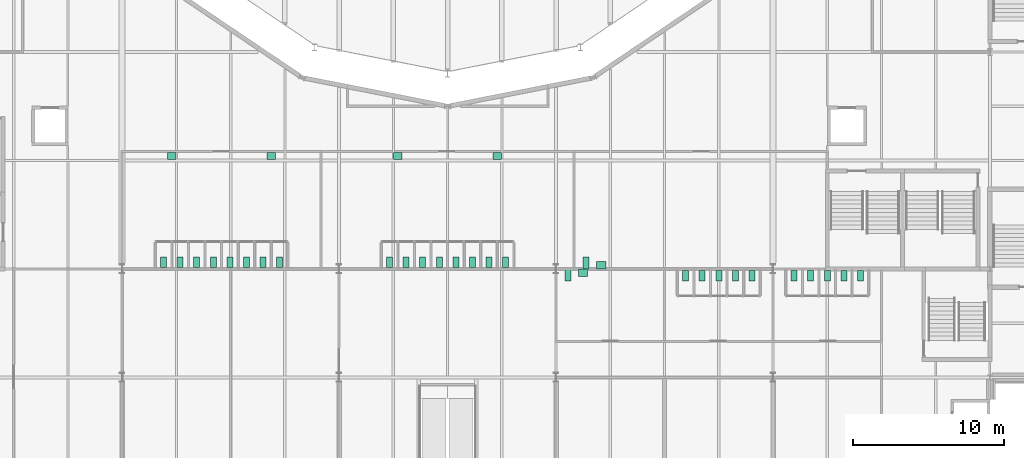
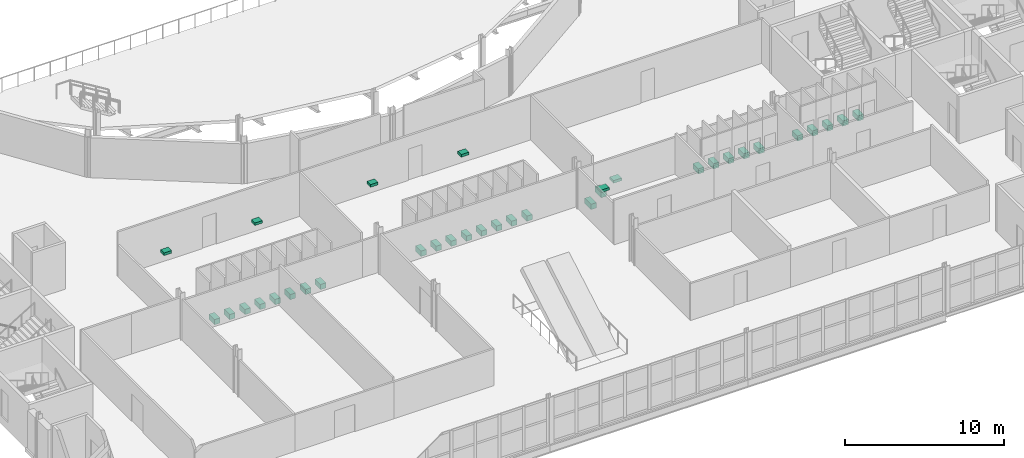
# One storey, part 123 of 124: 34 sanitary terminals.
"""IFC4 building model written with IfcOpenShell, lengths in metres."""

from ifc_helpers import new_model, si_unit, direction, frame, origin, origin_2d, place, context, subcontext, project, spatial, rectangle, extrude, element, save


model = new_model("IFC4")

# Units and contexts
model_context = context("Model", 3, precision=1e-05, world=origin(), true_north=direction((0.0, 1.0)))
body_context = subcontext(model_context, "Body", "Model", "MODEL_VIEW")
ifc_project = project(units=[si_unit("LENGTHUNIT", "METRE"), si_unit("AREAUNIT", "SQUARE_METRE"), si_unit("VOLUMEUNIT", "CUBIC_METRE"), si_unit("PLANEANGLEUNIT", "RADIAN"), si_unit("MASSUNIT", "GRAM", prefix="KILO")], contexts=[model_context])

# Site, building, storey
site_placement = place(None, origin())
site = spatial("IfcSite", under=ifc_project, at=site_placement, CompositionType="ELEMENT")
building_placement = place(site_placement, origin())
building = spatial("IfcBuilding", under=site, at=building_placement, Name="Kupolbacken Congress Centre", CompositionType="ELEMENT")
storey_placement = place(building_placement, frame((0.0, 0.0, 10.800048828125)))
storey = spatial("IfcBuildingStorey", under=building, at=storey_placement, Name="L03", CompositionType="ELEMENT", Elevation=10.800048828125)

# Sanitary terminals
for number, where, z_axis, x_axis, name in (
    (1, (59.0, 49.949951171875, 0.0), (0.0, 0.0, 1.0), (1.0, 0.0, 0.0), "WC pan"),
    (2, (60.10009765625, 49.949951171875, 0.0), (0.0, 0.0, 1.0), (1.0, 0.0, 0.0), "WC pan"),
    (3, (61.199951171875, 49.949951171875, 0.0), (0.0, 0.0, 1.0), (1.0, 0.0, 0.0), "WC pan"),
    (4, (62.300048828125, 49.949951171875, 0.0), (0.0, 0.0, 1.0), (1.0, 0.0, 0.0), "WC pan"),
    (5, (63.39990234375, 49.949951171875, 0.0), (0.0, 0.0, 1.0), (1.0, 0.0, 0.0), "WC pan"),
    (6, (66.199951171875, 49.949951171875, 0.0), (0.0, 0.0, 1.0), (1.0, 0.0, 0.0), "WC pan"),
    (7, (67.300048828125, 49.949951171875, 0.0), (0.0, 0.0, 1.0), (1.0, 0.0, 0.0), "WC pan"),
    (8, (68.39990234375, 49.949951171875, 0.0), (0.0, 0.0, 1.0), (1.0, 0.0, 0.0), "WC pan"),
    (9, (69.5, 49.949951171875, 0.0), (0.0, 0.0, 1.0), (1.0, 0.0, 0.0), "WC pan"),
    (10, (70.60009765625, 49.949951171875, 0.0), (0.0, 0.0, 1.0), (1.0, 0.0, 0.0), "WC pan"),
    (11, (24.35009765625, 50.85009765625, 0.0), (0.0, 0.0, 1.0), (1.0, 0.0, 0.0), "WC pan"),
    (12, (25.449951171875, 50.85009765625, 0.0), (0.0, 0.0, 1.0), (1.0, 0.0, 0.0), "WC pan"),
    (13, (26.550048828125, 50.85009765625, 0.0), (0.0, 0.0, 1.0), (1.0, 0.0, 0.0), "WC pan"),
    (14, (27.64990234375, 50.85009765625, 0.0), (0.0, 0.0, 1.0), (1.0, 0.0, 0.0), "WC pan"),
    (15, (28.75, 50.85009765625, 0.0), (0.0, 0.0, 1.0), (1.0, 0.0, 0.0), "WC pan"),
    (16, (29.85009765625, 50.85009765625, 0.0), (0.0, 0.0, 1.0), (1.0, 0.0, 0.0), "WC pan"),
    (17, (30.949951171875, 50.85009765625, 0.0), (0.0, 0.0, 1.0), (1.0, 0.0, 0.0), "WC pan"),
    (18, (32.050048828125, 50.85009765625, 0.0), (0.0, 0.0, 1.0), (1.0, 0.0, 0.0), "WC pan"),
):
    element("IfcSanitaryTerminal", number, at=place(storey_placement, frame(where, z_axis=z_axis, x_axis=x_axis)), inside=storey, Name=name, PredefinedType="TOILETPAN", context=body_context, shape_type="SweptSolid", body=[
        extrude(rectangle(XDim=0.39990234375, YDim=0.699951171875, at=origin_2d()), origin(), (0.0, 0.0, 1.0), 0.39990234375),
    ])
for number, where, z_axis, x_axis, name in (
    (19, (24.89990234375, 57.89990234375, 0.7998046875), (0.0, 0.0, 1.0), (1.0, 0.0, 0.0), "Wash basin"),
    (20, (31.5, 57.89990234375, 0.7998046875), (0.0, 0.0, 1.0), (1.0, 0.0, 0.0), "Wash basin"),
):
    element("IfcSanitaryTerminal", number, at=place(storey_placement, frame(where, z_axis=z_axis, x_axis=x_axis)), inside=storey, Name=name, PredefinedType="WASHHANDBASIN", context=body_context, shape_type="SweptSolid", body=[
        extrude(rectangle(XDim=0.550048828125, YDim=0.449951171875, at=origin_2d()), origin(), (0.0, 0.0, 1.0), 0.199951171875),
    ])
for number, where, z_axis, x_axis, name in (
    (21, (39.35009765625, 50.85009765625, 0.0), (0.0, 0.0, 1.0), (1.0, 0.0, 0.0), "WC pan"),
    (22, (40.449951171875, 50.85009765625, 0.0), (0.0, 0.0, 1.0), (1.0, 0.0, 0.0), "WC pan"),
    (23, (41.550048828125, 50.85009765625, 0.0), (0.0, 0.0, 1.0), (1.0, 0.0, 0.0), "WC pan"),
    (24, (42.64990234375, 50.85009765625, 0.0), (0.0, 0.0, 1.0), (1.0, 0.0, 0.0), "WC pan"),
    (25, (43.75, 50.85009765625, 0.0), (0.0, 0.0, 1.0), (1.0, 0.0, 0.0), "WC pan"),
    (26, (44.85009765625, 50.85009765625, 0.0), (0.0, 0.0, 1.0), (1.0, 0.0, 0.0), "WC pan"),
    (27, (45.949951171875, 50.85009765625, 0.0), (0.0, 0.0, 1.0), (1.0, 0.0, 0.0), "WC pan"),
    (28, (47.050048828125, 50.85009765625, 0.0), (0.0, 0.0, 1.0), (1.0, 0.0, 0.0), "WC pan"),
):
    element("IfcSanitaryTerminal", number, at=place(storey_placement, frame(where, z_axis=z_axis, x_axis=x_axis)), inside=storey, Name=name, PredefinedType="TOILETPAN", context=body_context, shape_type="SweptSolid", body=[
        extrude(rectangle(XDim=0.39990234375, YDim=0.699951171875, at=origin_2d()), origin(), (0.0, 0.0, 1.0), 0.39990234375),
    ])
for number, where, z_axis, x_axis, name in (
    (29, (39.89990234375, 57.89990234375, 0.7998046875), (0.0, 0.0, 1.0), (1.0, 0.0, 0.0), "Wash basin"),
    (30, (46.5, 57.89990234375, 0.7998046875), (0.0, 0.0, 1.0), (1.0, 0.0, 0.0), "Wash basin"),
):
    element("IfcSanitaryTerminal", number, at=place(storey_placement, frame(where, z_axis=z_axis, x_axis=x_axis)), inside=storey, Name=name, PredefinedType="WASHHANDBASIN", context=body_context, shape_type="SweptSolid", body=[
        extrude(rectangle(XDim=0.550048828125, YDim=0.449951171875, at=origin_2d()), origin(), (0.0, 0.0, 1.0), 0.199951171875),
    ])
sanitary_terminal_1_placement = place(storey_placement, frame((51.199951171875, 50.0, 0.0), z_axis=(0.0, 0.0, 1.0), x_axis=(1.0, 0.0, 0.0)))
element("IfcSanitaryTerminal", 31, at=sanitary_terminal_1_placement, inside=storey, Name="Accessible WC pan", PredefinedType="TOILETPAN", context=body_context, shape_type="SweptSolid", body=[
    extrude(rectangle(XDim=0.39990234375, YDim=0.800048828125, at=origin_2d()), origin(), (0.0, 0.0, 1.0), 0.39990234375),
])
sanitary_terminal_2_placement = place(storey_placement, frame((52.199951171875, 50.14990234375, 0.7998046875), z_axis=(0.0, 0.0, 1.0), x_axis=(1.0, 0.0, 0.0)))
element("IfcSanitaryTerminal", 32, at=sanitary_terminal_2_placement, inside=storey, Name="Accessible wash basin", PredefinedType="WASHHANDBASIN", context=body_context, shape_type="SweptSolid", body=[
    extrude(rectangle(XDim=0.60009765625, YDim=0.5, at=origin_2d()), origin(), (0.0, 0.0, 1.0), 0.199951171875),
])
sanitary_terminal_3_placement = place(storey_placement, frame((52.39990234375, 50.800048828125, 0.0), z_axis=(0.0, 0.0, 1.0), x_axis=(1.0, 0.0, 0.0)))
element("IfcSanitaryTerminal", 33, at=sanitary_terminal_3_placement, inside=storey, Name="Accessible WC pan", PredefinedType="TOILETPAN", context=body_context, shape_type="SweptSolid", body=[
    extrude(rectangle(XDim=0.39990234375, YDim=0.800048828125, at=origin_2d()), origin(), (0.0, 0.0, 1.0), 0.39990234375),
])
sanitary_terminal_4_placement = place(storey_placement, frame((53.39990234375, 50.64990234375, 0.7998046875), z_axis=(0.0, 0.0, 1.0), x_axis=(1.0, 0.0, 0.0)))
element("IfcSanitaryTerminal", 34, at=sanitary_terminal_4_placement, inside=storey, Name="Accessible wash basin", PredefinedType="WASHHANDBASIN", context=body_context, shape_type="SweptSolid", body=[
    extrude(rectangle(XDim=0.60009765625, YDim=0.5, at=origin_2d()), origin(), (0.0, 0.0, 1.0), 0.199951171875),
])

save(model, "model.ifc")
